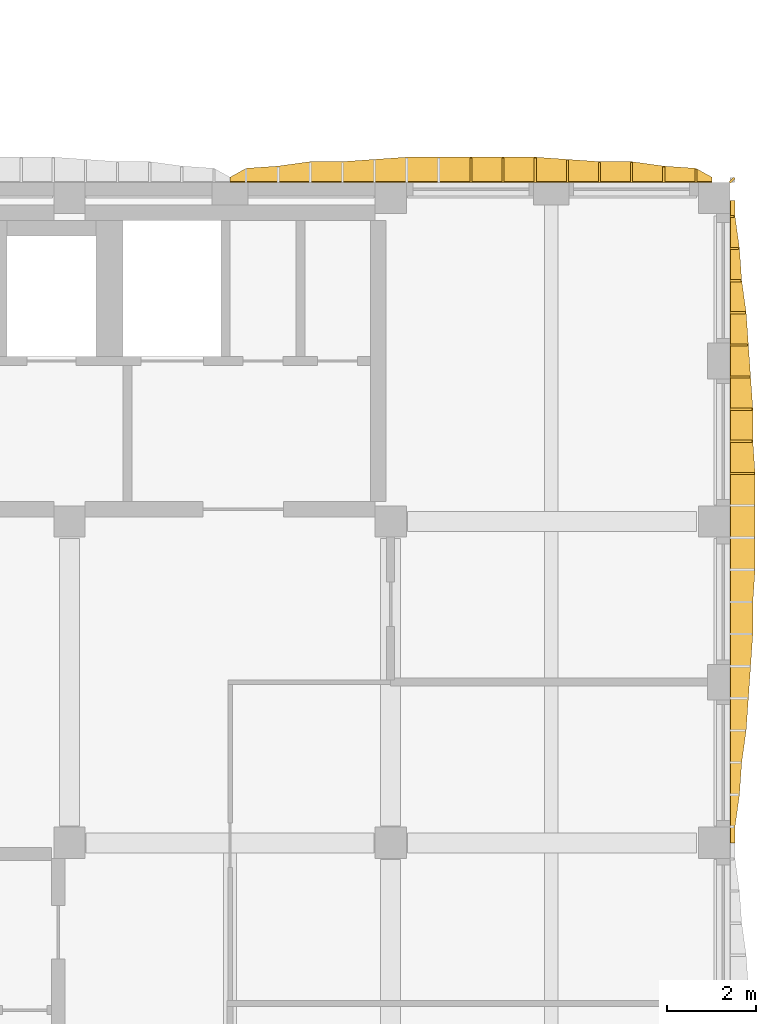
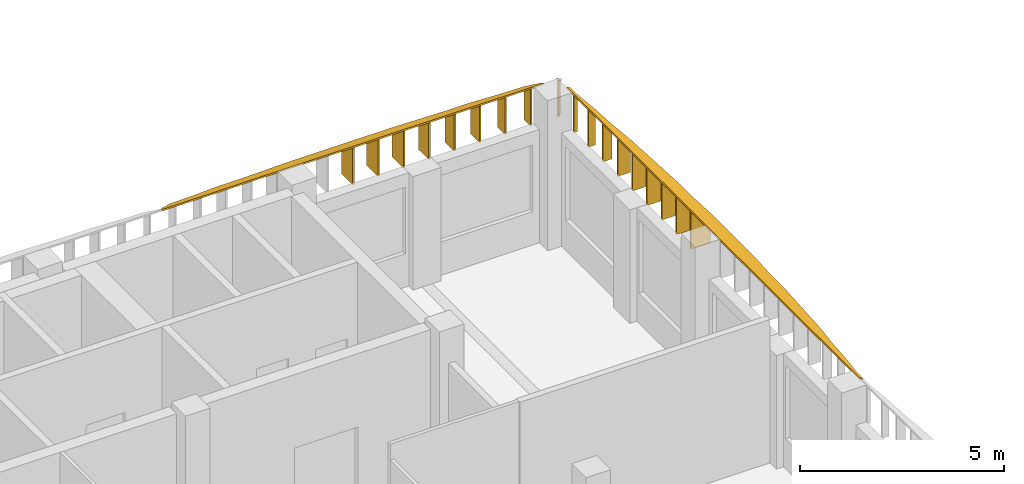
# One storey, part 28 of 44: 20 shading devices.
"""IFC4 building model written with IfcOpenShell, lengths in metres."""

from ifc_helpers import new_model, si_unit, direction, frame, origin, place, context, subcontext, project, spatial, polyline, outline, extrude, material, layer, layer_set, type_object, element, save


model = new_model("IFC4")

# Units and contexts
model_context = context("Model", 3, precision=1e-05, world=origin(), true_north=direction((0.0, 1.0)))
body_context = subcontext(model_context, "Body", "Model", "MODEL_VIEW")
ifc_project = project(units=[si_unit("LENGTHUNIT", "METRE"), si_unit("AREAUNIT", "SQUARE_METRE"), si_unit("VOLUMEUNIT", "CUBIC_METRE"), si_unit("PLANEANGLEUNIT", "RADIAN"), si_unit("MASSUNIT", "GRAM", prefix="KILO")], contexts=[model_context])

# Site, building, storey
site_placement = place(None, origin())
site = spatial("IfcSite", under=ifc_project, at=site_placement, CompositionType="ELEMENT")
building_placement = place(site_placement, origin())
building = spatial("IfcBuilding", under=site, at=building_placement, Name="Ussher Court Research Institute", CompositionType="ELEMENT")
storey_placement = place(building_placement, frame((0.0, 0.0, 18.89990234375)))
storey = spatial("IfcBuildingStorey", under=building, at=storey_placement, Name="L04", CompositionType="ELEMENT", Elevation=18.89990234375)

# Shading devices
ifc_material_1 = material(Name="Bronze anodised aluminium", Category="aluminium")
ifc_layer_1 = layer(ifc_material_1, 0.050048828125)
ifc_layer_set_1 = layer_set([ifc_layer_1], Name="Bronze anodised aluminium")
shading_device_type_1 = type_object("IfcShadingDeviceType", Name="Brim blade 100 mm deep 1100 mm high canted 26 deg wet", PredefinedType="USERDEFINED", material=ifc_layer_set_1)
shading_device_1_placement = place(storey_placement, frame((104.199951171875, 32.43994140625, 3.35009765625), z_axis=(0.0, 0.0, 1.0), x_axis=(1.0, 0.0, 0.0)))
element("IfcShadingDevice", 1, at=shading_device_1_placement, inside=storey, type_object=shading_device_type_1, Name="Brim blade BS10 L04", ObjectType="BLADE", PredefinedType="USERDEFINED", context=body_context, shape_type="SweptSolid", body=[
    extrude(outline(polyline([(0.0, 0.0), (0.10009765625, 0.0), (0.10009765625, 1.05126953125), (0.0, 1.10009765625), (0.0, 0.0)])), frame((0.0, 0.02490234375, 0.0), z_axis=(0.0, -1.0, 0.0), x_axis=(1.0, 0.0, 0.0)), (0.0, 0.0, 1.0), 0.050048828125),
])
ifc_material_2 = material(Name="Bronze anodised aluminium", Category="aluminium")
ifc_layer_2 = layer(ifc_material_2, 0.050048828125)
ifc_layer_set_2 = layer_set([ifc_layer_2], Name="Bronze anodised aluminium")
shading_device_type_2 = type_object("IfcShadingDeviceType", Name="Brim blade 200 mm deep 1100 mm high canted 26 deg wet", PredefinedType="USERDEFINED", material=ifc_layer_set_2)
shading_device_2_placement = place(storey_placement, frame((104.199951171875, 31.719970703125, 3.35009765625), z_axis=(0.0, 0.0, 1.0), x_axis=(1.0, 0.0, 0.0)))
element("IfcShadingDevice", 2, at=shading_device_2_placement, inside=storey, type_object=shading_device_type_2, Name="Brim blade BS08 L04", ObjectType="BLADE", PredefinedType="USERDEFINED", context=body_context, shape_type="SweptSolid", body=[
    extrude(outline(polyline([(0.0, 0.0), (0.199951171875, 0.0), (0.199951171875, 1.00244140625), (0.0, 1.10009765625), (0.0, 0.0)])), frame((0.0, 0.02490234375, 0.0), z_axis=(0.0, -1.0, 0.0), x_axis=(1.0, 0.0, 0.0)), (0.0, 0.0, 1.0), 0.050048828125),
])
ifc_material_3 = material(Name="Bronze anodised aluminium", Category="aluminium")
ifc_layer_3 = layer(ifc_material_3, 0.050048828125)
ifc_layer_set_3 = layer_set([ifc_layer_3], Name="Bronze anodised aluminium")
shading_device_type_3 = type_object("IfcShadingDeviceType", Name="Brim blade 250 mm deep 1100 mm high canted 26 deg wet", PredefinedType="USERDEFINED", material=ifc_layer_set_3)
shading_device_3_placement = place(storey_placement, frame((104.199951171875, 31.0, 3.35009765625), z_axis=(0.0, 0.0, 1.0), x_axis=(1.0, 0.0, 0.0)))
element("IfcShadingDevice", 3, at=shading_device_3_placement, inside=storey, type_object=shading_device_type_3, Name="Brim blade BS07 L04", ObjectType="BLADE", PredefinedType="USERDEFINED", context=body_context, shape_type="SweptSolid", body=[
    extrude(outline(polyline([(0.0, 0.0), (0.25, 0.0), (0.25, 0.97802734375), (0.0, 1.10009765625), (0.0, 0.0)])), frame((0.0, 0.02490234375, 0.0), z_axis=(0.0, -1.0, 0.0), x_axis=(1.0, 0.0, 0.0)), (0.0, 0.0, 1.0), 0.050048828125),
])
ifc_material_4 = material(Name="Bronze anodised aluminium", Category="aluminium")
ifc_layer_4 = layer(ifc_material_4, 0.050048828125)
ifc_layer_set_4 = layer_set([ifc_layer_4], Name="Bronze anodised aluminium")
shading_device_type_4 = type_object("IfcShadingDeviceType", Name="Brim blade 300 mm deep 1100 mm high canted 26 deg wet", PredefinedType="USERDEFINED", material=ifc_layer_set_4)
shading_device_4_placement = place(storey_placement, frame((103.43994140625, 33.199951171875, 3.35009765625), z_axis=(0.0, 0.0, 1.0), x_axis=(0.0, 1.0, 0.0)))
element("IfcShadingDevice", 4, at=shading_device_4_placement, inside=storey, type_object=shading_device_type_4, Name="Brim blade BS06 L04", ObjectType="BLADE", PredefinedType="USERDEFINED", context=body_context, shape_type="SweptSolid", body=[
    extrude(outline(polyline([(0.0, 0.0), (0.300048828125, 0.0), (0.300048828125, 0.95361328125), (0.0, 1.10009765625), (0.0, 0.0)])), frame((0.0, 0.02490234375, 0.0), z_axis=(0.0, -1.0, 0.0), x_axis=(1.0, 0.0, 0.0)), (0.0, 0.0, 1.0), 0.050048828125),
])
ifc_material_5 = material(Name="Bronze anodised aluminium", Category="aluminium")
ifc_layer_5 = layer(ifc_material_5, 0.050048828125)
ifc_layer_set_5 = layer_set([ifc_layer_5], Name="Bronze anodised aluminium")
shading_device_type_5 = type_object("IfcShadingDeviceType", Name="Brim blade 350 mm deep 1100 mm high canted 26 deg wet", PredefinedType="USERDEFINED", material=ifc_layer_set_5)
for number, where, z_axis, x_axis, name in (
    (5, (104.199951171875, 30.280029296875, 3.35009765625), (0.0, 0.0, 1.0), (1.0, 0.0, 0.0), "Brim blade BS05 L04"),
    (6, (102.719970703125, 33.199951171875, 3.35009765625), (0.0, 0.0, 1.0), (0.0, 1.0, 0.0), "Brim blade BS05 L04"),
):
    element("IfcShadingDevice", number, at=place(storey_placement, frame(where, z_axis=z_axis, x_axis=x_axis)), inside=storey, type_object=shading_device_type_5, Name=name, ObjectType="BLADE", PredefinedType="USERDEFINED", context=body_context, shape_type="SweptSolid", body=[
        extrude(outline(polyline([(0.0, 0.0), (0.35009765625, 0.0), (0.35009765625, 0.92919921875), (0.0, 1.10009765625), (0.0, 0.0)])), frame((0.0, 0.02490234375, 0.0), z_axis=(0.0, -1.0, 0.0), x_axis=(1.0, 0.0, 0.0)), (0.0, 0.0, 1.0), 0.050048828125),
    ])
ifc_material_6 = material(Name="Bronze anodised aluminium", Category="aluminium")
ifc_layer_6 = layer(ifc_material_6, 0.050048828125)
ifc_layer_set_6 = layer_set([ifc_layer_6], Name="Bronze anodised aluminium")
shading_device_type_6 = type_object("IfcShadingDeviceType", Name="Brim blade 400 mm deep 1100 mm high canted 26 deg wet", PredefinedType="USERDEFINED", material=ifc_layer_set_6)
shading_device_5_placement = place(storey_placement, frame((104.199951171875, 29.56005859375, 3.35009765625), z_axis=(0.0, 0.0, 1.0), x_axis=(1.0, 0.0, 0.0)))
element("IfcShadingDevice", 7, at=shading_device_5_placement, inside=storey, type_object=shading_device_type_6, Name="Brim blade BS04 L04", ObjectType="BLADE", PredefinedType="USERDEFINED", context=body_context, shape_type="SweptSolid", body=[
    extrude(outline(polyline([(0.0, 0.0), (0.400146484375, 0.0), (0.39990234375, 0.90478515625), (0.0, 1.10009765625), (0.0, 0.0)])), frame((0.0, 0.02490234375, 0.0), z_axis=(0.0, -1.0, 0.0), x_axis=(1.0, 0.0, 0.0)), (0.0, 0.0, 1.0), 0.050048828125),
])
ifc_material_7 = material(Name="Bronze anodised aluminium", Category="aluminium")
ifc_layer_7 = layer(ifc_material_7, 0.050048828125)
ifc_layer_set_7 = layer_set([ifc_layer_7], Name="Bronze anodised aluminium")
shading_device_type_7 = type_object("IfcShadingDeviceType", Name="Brim blade 450 mm deep 1100 mm high canted 26 deg wet", PredefinedType="USERDEFINED", material=ifc_layer_set_7)
for number, where, z_axis, x_axis, name in (
    (8, (104.199951171875, 28.840087890625, 3.35009765625), (0.0, 0.0, 1.0), (1.0, 0.0, 0.0), "Brim blade BS03 L04"),
    (9, (101.280029296875, 33.199951171875, 3.35009765625), (0.0, 0.0, 1.0), (0.0, 1.0, 0.0), "Brim blade BS03 L04"),
    (10, (102.0, 33.199951171875, 3.35009765625), (0.0, 0.0, 1.0), (0.0, 1.0, 0.0), "Brim blade BS03 L04"),
):
    element("IfcShadingDevice", number, at=place(storey_placement, frame(where, z_axis=z_axis, x_axis=x_axis)), inside=storey, type_object=shading_device_type_7, Name=name, ObjectType="BLADE", PredefinedType="USERDEFINED", context=body_context, shape_type="SweptSolid", body=[
        extrude(outline(polyline([(0.0, 0.0), (0.449951171875, 0.0), (0.449951171875, 0.880615234375), (0.0, 1.10009765625), (0.0, 0.0)])), frame((0.0, 0.02490234375, 0.0), z_axis=(0.0, -1.0, 0.0), x_axis=(1.0, 0.0, 0.0)), (0.0, 0.0, 1.0), 0.050048828125),
    ])
ifc_material_8 = material(Name="Bronze anodised aluminium", Category="aluminium")
ifc_layer_8 = layer(ifc_material_8, 0.050048828125)
ifc_layer_set_8 = layer_set([ifc_layer_8], Name="Bronze anodised aluminium")
shading_device_type_8 = type_object("IfcShadingDeviceType", Name="Brim blade 500 mm deep 1100 mm high canted 26 deg wet", PredefinedType="USERDEFINED", material=ifc_layer_set_8)
for number, where, z_axis, x_axis, name in (
    (11, (104.199951171875, 28.1201171875, 3.35009765625), (0.0, 0.0, 1.0), (1.0, 0.0, 0.0), "Brim blade BS02 L04"),
    (12, (104.199951171875, 27.39990234375, 3.35009765625), (0.0, 0.0, 1.0), (1.0, 0.0, 0.0), "Brim blade BS02 L04"),
    (13, (100.56005859375, 33.199951171875, 3.35009765625), (0.0, 0.0, 1.0), (0.0, 1.0, 0.0), "Brim blade BS02 L04"),
):
    element("IfcShadingDevice", number, at=place(storey_placement, frame(where, z_axis=z_axis, x_axis=x_axis)), inside=storey, type_object=shading_device_type_8, Name=name, ObjectType="BLADE", PredefinedType="USERDEFINED", context=body_context, shape_type="SweptSolid", body=[
        extrude(outline(polyline([(0.0, 0.0), (0.5, 0.0), (0.5, 0.856201171875), (0.0, 1.10009765625), (0.0, 0.0)])), frame((0.0, 0.02490234375, 0.0), z_axis=(0.0, -1.0, 0.0), x_axis=(1.0, 0.0, 0.0)), (0.0, 0.0, 1.0), 0.050048828125),
    ])
ifc_material_9 = material(Name="Bronze anodised aluminium", Category="aluminium")
ifc_layer_9 = layer(ifc_material_9, 0.050048828125)
ifc_layer_set_9 = layer_set([ifc_layer_9], Name="Bronze anodised aluminium")
shading_device_type_9 = type_object("IfcShadingDeviceType", Name="Brim blade 550 mm deep 1100 mm high canted 26 deg wet", PredefinedType="USERDEFINED", material=ifc_layer_set_9)
for number, where, z_axis, x_axis, name in (
    (14, (104.199951171875, 26.679931640625, 3.35009765625), (0.0, 0.0, 1.0), (1.0, 0.0, 0.0), "Brim blade BS01 L04"),
    (15, (98.39990234375, 33.199951171875, 3.35009765625), (0.0, 0.0, 1.0), (0.0, 1.0, 0.0), "Brim blade BS01 L04"),
    (16, (99.1201171875, 33.199951171875, 3.35009765625), (0.0, 0.0, 1.0), (0.0, 1.0, 0.0), "Brim blade BS01 L04"),
    (17, (99.840087890625, 33.199951171875, 3.35009765625), (0.0, 0.0, 1.0), (0.0, 1.0, 0.0), "Brim blade BS01 L04"),
):
    element("IfcShadingDevice", number, at=place(storey_placement, frame(where, z_axis=z_axis, x_axis=x_axis)), inside=storey, type_object=shading_device_type_9, Name=name, ObjectType="BLADE", PredefinedType="USERDEFINED", context=body_context, shape_type="SweptSolid", body=[
        extrude(outline(polyline([(0.0, 0.0), (0.550048828125, 0.0), (0.550048828125, 0.831787109375), (0.0, 1.10009765625), (0.0, 0.0)])), frame((0.0, 0.02490234375, 0.0), z_axis=(0.0, -1.0, 0.0), x_axis=(1.0, 0.0, 0.0)), (0.0, 0.0, 1.0), 0.050048828125),
    ])
ifc_material_10 = material(Name="Bronze anodised aluminium", Category="aluminium")
ifc_layer_10 = layer(ifc_material_10, 0.050048828125)
ifc_layer_set_10 = layer_set([ifc_layer_10], Name="Bronze anodised aluminium")
shading_device_type_10 = type_object("IfcShadingDeviceType", Name="Brim mitre blade 100 mm deep 1100 mm high canted 26 deg wet", PredefinedType="USERDEFINED", material=ifc_layer_set_10)
shading_device_6_placement = place(storey_placement, frame((104.199951171875, 33.199951171875, 3.35009765625), z_axis=(0.0, 0.0, 1.0), x_axis=(0.707106781187, 0.707106781187, 0.0)))
element("IfcShadingDevice", 18, at=shading_device_6_placement, inside=storey, type_object=shading_device_type_10, Name="Brim mitre blade BS18 L04", ObjectType="BLADE", PredefinedType="USERDEFINED", context=body_context, shape_type="SweptSolid", body=[
    extrude(outline(polyline([(0.0, 0.0), (0.1416015625, 0.0), (0.141357421875, 1.00244140625), (0.0, 1.10009765625), (0.0, 0.0)])), frame((0.0, 0.02490234375, 0.0), z_axis=(0.0, -1.0, 0.0), x_axis=(1.0, 0.0, 0.0)), (0.0, 0.0, 1.0), 0.050048828125),
])
ifc_material_11 = material(Name="Bronze anodised aluminium", Category="aluminium")
ifc_layer_11 = layer(ifc_material_11, 0.0400390625)
ifc_layer_set_11 = layer_set([ifc_layer_11], Name="Bronze anodised aluminium")
shading_device_type_11 = type_object("IfcShadingDeviceType", Name="Brim visor sheet 40 mm canted 26 deg wet", PredefinedType="USERDEFINED", material=ifc_layer_set_11)
shading_device_7_placement = place(storey_placement, frame((104.217529296875, 32.800048828125, 4.486083984375), z_axis=(0.438529184396, 0.0, 0.898716949007), x_axis=(0.0, -1.0, 0.0)))
element("IfcShadingDevice", 19, at=shading_device_7_placement, inside=storey, type_object=shading_device_type_11, Name="Brim visor sheet BR1 L04", ObjectType="BRIM", PredefinedType="USERDEFINED", context=body_context, shape_type="SweptSolid", body=[
    extrude(outline(polyline([(0.0, 0.0), (14.400146484375, 0.0), (14.400146484375, 0.11115260474198813), (14.0400390625, 0.11115260474198813), (13.320068359375, 0.22252462280160495), (12.60009765625, 0.27821063183141337), (11.880126953125, 0.3893632365734015), (11.16015625, 0.4449421828140506), (10.43994140625, 0.5006281918438591), (9.719970703125, 0.5563142008736675), (9.0, 0.5563142008736675), (8.280029296875, 0.6120002099034759), (7.56005859375, 0.6120002099034759), (6.840087890625, 0.6120002099034759), (6.1201171875, 0.6120002099034759), (5.400146484375, 0.5563142008736675), (4.679931640625, 0.5563142008736675), (3.9599609375, 0.5006281918438591), (3.239990234375, 0.4449421828140506), (2.52001953125, 0.3893632365734015), (1.800048828125, 0.27821063183141337), (1.080078125, 0.22252462280160495), (0.360107421875, 0.11115260474198813), (0.0, 0.11115260474198813), (0.0, 0.0)])), origin(), (0.0, 0.0, -1.0), 0.0400390625),
])
shading_device_8_placement = place(storey_placement, frame((93.0, 33.217529296875, 4.486083984375), z_axis=(0.0, 0.438493442835, 0.898734388232), x_axis=(1.0, 0.0, 0.0)))
element("IfcShadingDevice", 20, at=shading_device_8_placement, inside=storey, type_object=shading_device_type_11, Name="Brim visor sheet BR1 L04", ObjectType="BRIM", PredefinedType="USERDEFINED", context=body_context, shape_type="SweptSolid", body=[
    extrude(outline(polyline([(0.0, 0.0), (10.800048828125, 0.0), (10.800048828125, 0.11115260091647443), (10.43994140625, 0.3338966378999272), (9.719970703125, 0.3893632295705384), (9.0, 0.5006281939990725), (8.280029296875, 0.5006281939990725), (7.56005859375, 0.5563142032449357), (6.840087890625, 0.612000212490799), (6.1201171875, 0.612000212490799), (5.39990234375, 0.612000212490799), (4.679931640625, 0.612000212490799), (3.9599609375, 0.612000212490799), (3.239990234375, 0.5563142032449357), (2.52001953125, 0.5006281939990725), (1.800048828125, 0.5006281939990725), (1.080078125, 0.3893632295705384), (0.360107421875, 0.3338966378999272), (0.0, 0.11115260091647443), (0.0, 0.0)])), origin(), (0.0, 0.0, -1.0), 0.0400390625),
])

save(model, "model.ifc")
